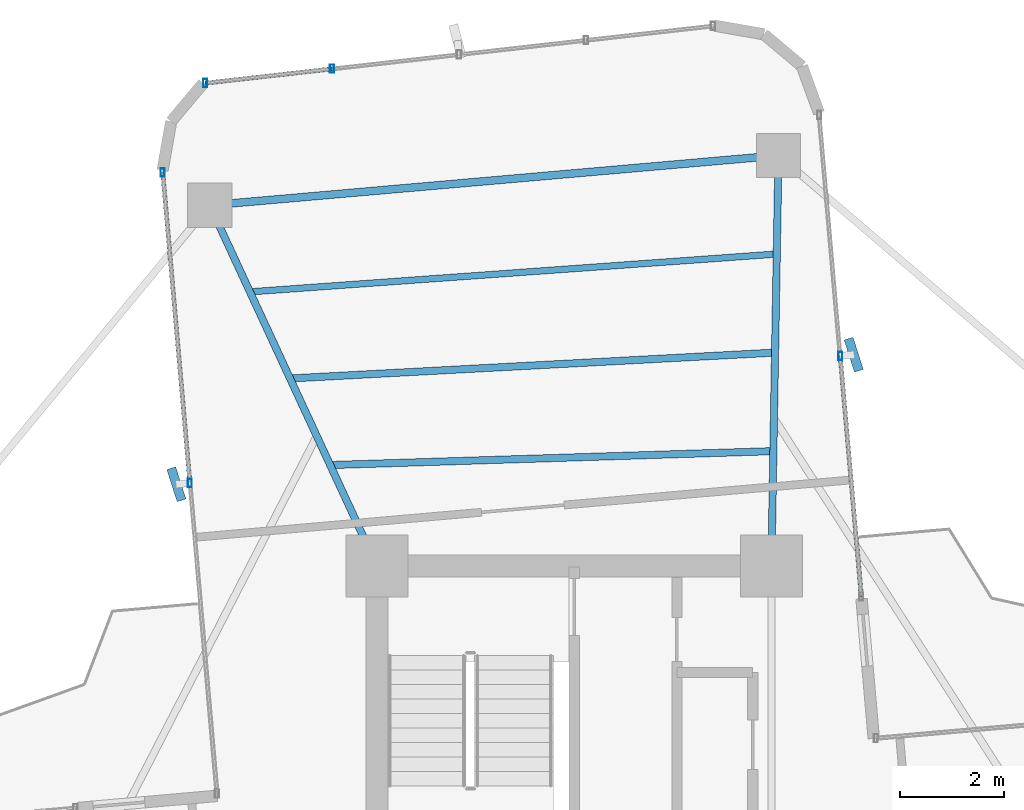
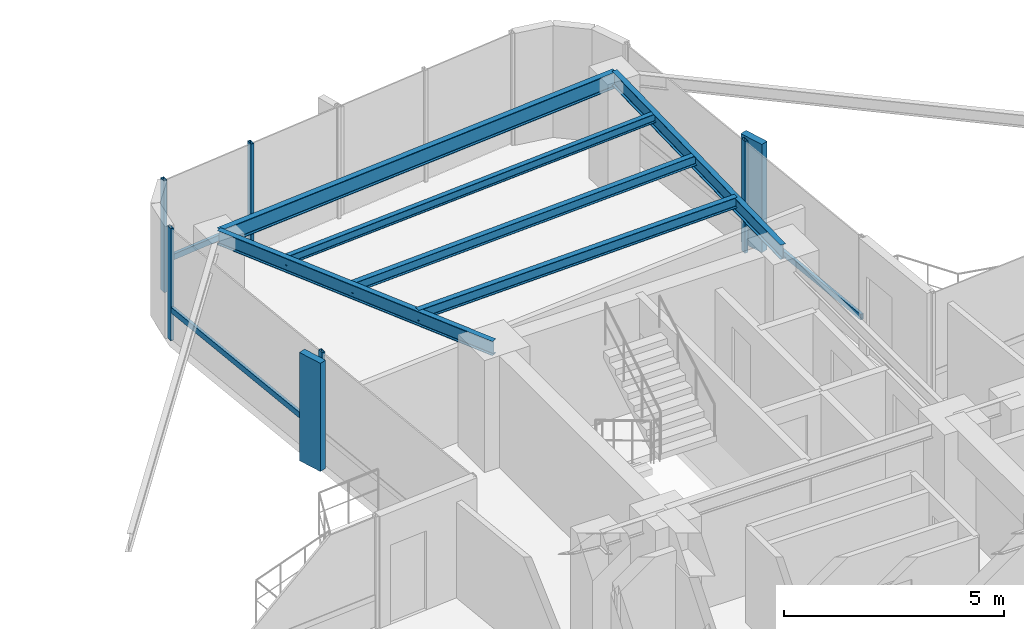
# One storey, part 16 of 24: 10 members, 6 beams, 3 elements without a shape of their own.
"""IFC4 building model written with IfcOpenShell, lengths in metres."""

from ifc_helpers import new_model, si_unit, direction, frame, origin, origin_2d, place, context, subcontext, project, spatial, rectangle, hollow_rectangle, i_section, extrude, source, transform, mapped, material, material_profile, profile_set, type_object, element, aggregate, save


model = new_model("IFC4")

# Units and contexts
model_context = context("Model", 3, precision=1e-05, world=origin(), true_north=direction((0.0, 1.0)))
body_context = subcontext(model_context, "Body", "Model", "MODEL_VIEW")
ifc_project = project(units=[si_unit("LENGTHUNIT", "METRE"), si_unit("AREAUNIT", "SQUARE_METRE"), si_unit("VOLUMEUNIT", "CUBIC_METRE"), si_unit("PLANEANGLEUNIT", "RADIAN"), si_unit("MASSUNIT", "GRAM", prefix="KILO")], contexts=[model_context])

# Site, building, storey
site_placement = place(None, origin())
site = spatial("IfcSite", under=ifc_project, at=site_placement, CompositionType="ELEMENT")
building_placement = place(site_placement, origin())
building = spatial("IfcBuilding", under=site, at=building_placement, Name="Sahyath Konkavel Grand Hotel", CompositionType="ELEMENT")
storey_placement = place(building_placement, frame((0.0, 0.0, 160.64990234375)))
storey = spatial("IfcBuildingStorey", under=building, at=storey_placement, Name="L44", CompositionType="ELEMENT", Elevation=160.64990234375)

# Beams
ifc_material_1 = material(Name="Steel E350", Category="steel")
ifc_material_profile_1 = material_profile(ifc_material_1, i_section(OverallWidth=0.139892578125, OverallDepth=0.39990234375, WebThickness=0.0087890625, FlangeThickness=0.01611328125, FilletRadius=0.013916015625, at=origin_2d()), Name="ISMB 400")
ifc_profile_set_1 = profile_set([ifc_material_profile_1], Name="Steel E350")
beam_type_1 = type_object("IfcBeamType", Name="BM-ISMB400", PredefinedType="BEAM", material=ifc_profile_set_1)
shared_shape_1 = source(origin(), body_context, "Body", "SweptSolid", [
    extrude(i_section(OverallWidth=0.139892578125, OverallDepth=0.39990234375, WebThickness=0.0087890625, FlangeThickness=0.01611328125, FilletRadius=0.013916015625, at=origin_2d()), origin(), (0.0, 0.0, 1.0), 7.913330078125),
])
beam_1_placement = place(storey_placement, frame((3.800048828125, 10.199951171875, 2.91015625), z_axis=(0.017215419232, 0.999851803689, 0.0), x_axis=(-0.999851803689, 0.017215419232, 0.0)))
element("IfcBeam", 1, at=beam_1_placement, inside=storey, type_object=beam_type_1, Name="L44 Cruciform Radial Girder NA", PredefinedType="BEAM", context=body_context, shape_type="MappedRepresentation", body=[
    mapped(shared_shape_1, transform((0.0, 0.0, 0.0), scale=1.0)),
])
shared_shape_2 = source(origin(), body_context, "Body", "SweptSolid", [
    extrude(i_section(OverallWidth=0.139892578125, OverallDepth=0.39990234375, WebThickness=0.0087890625, FlangeThickness=0.01611328125, FilletRadius=0.013916015625, at=origin_2d()), origin(), (0.0, 0.0, 1.0), 7.66357421875),
])
beam_2_placement = place(storey_placement, frame((-3.800048828125, 10.199951171875, 2.91015625), z_axis=(-0.420395127561, 0.907341135804, 0.0), x_axis=(-0.907341135804, -0.420395127561, 0.0)))
element("IfcBeam", 2, at=beam_2_placement, inside=storey, type_object=beam_type_1, Name="L44 Cruciform Radial Girder NB", PredefinedType="BEAM", context=body_context, shape_type="MappedRepresentation", body=[
    mapped(shared_shape_2, transform((0.0, 0.0, 0.0), scale=1.0)),
])
ifc_material_profile_2 = material_profile(ifc_material_1, i_section(OverallWidth=0.14990234375, OverallDepth=0.449951171875, WebThickness=0.009521484375, FlangeThickness=0.017333984375, FilletRadius=0.014892578125, at=origin_2d()), Name="ISMB 450")
ifc_profile_set_2 = profile_set([ifc_material_profile_2], Name="Steel E350")
beam_type_2 = type_object("IfcBeamType", Name="BM-ISMB450", PredefinedType="BEAM", material=ifc_profile_set_2)
shared_shape_3 = source(origin(), body_context, "Body", "SweptSolid", [
    extrude(i_section(OverallWidth=0.14990234375, OverallDepth=0.449951171875, WebThickness=0.009521484375, FlangeThickness=0.017333984375, FilletRadius=0.014892578125, at=origin_2d()), origin(), (0.0, 0.0, 1.0), 10.999755859375),
])
beam_3_placement = place(storey_placement, frame((3.936279296875, 18.112060546875, 2.885009765625), z_axis=(-0.99619439202, -0.087159241098, 0.0), x_axis=(0.087159241098, -0.99619439202, 0.0)))
element("IfcBeam", 3, at=beam_3_placement, inside=storey, type_object=beam_type_2, Name="L44 Wing Tip Edge Beam N", PredefinedType="BEAM", context=body_context, shape_type="MappedRepresentation", body=[
    mapped(shared_shape_3, transform((0.0, 0.0, 0.0), scale=1.0)),
])
ifc_material_profile_3 = material_profile(ifc_material_1, i_section(OverallWidth=0.139892578125, OverallDepth=0.300048828125, WebThickness=0.0078125, FlangeThickness=0.01318359375, FilletRadius=0.013916015625, at=origin_2d()), Name="ISMB 300")
ifc_profile_set_3 = profile_set([ifc_material_profile_3], Name="Steel E350")
beam_type_3 = type_object("IfcBeamType", Name="BM-ISMB300", PredefinedType="BEAM", material=ifc_profile_set_3)
shared_shape_4 = source(origin(), body_context, "Body", "SweptSolid", [
    extrude(i_section(OverallWidth=0.139892578125, OverallDepth=0.300048828125, WebThickness=0.0078125, FlangeThickness=0.01318359375, FilletRadius=0.013916015625, at=origin_2d()), origin(), (0.0, 0.0, 1.0), 8.54443359375),
])
beam_4_placement = place(storey_placement, frame((3.838134765625, 12.415283203125, 2.960205078125), z_axis=(-0.999506849365, -0.031401561632, 0.0), x_axis=(0.031401561632, -0.999506849365, 0.0)))
element("IfcBeam", 4, at=beam_4_placement, inside=storey, type_object=beam_type_3, Name="L44 Secondary Floor Beam N-1", PredefinedType="BEAM", context=body_context, shape_type="MappedRepresentation", body=[
    mapped(shared_shape_4, transform((0.0, 0.0, 0.0), scale=1.0)),
])
ifc_material_profile_4 = material_profile(ifc_material_1, i_section(OverallWidth=0.139892578125, OverallDepth=0.27490234375, WebThickness=0.00634765625, FlangeThickness=0.0087890625, FilletRadius=0.012939453125, at=origin_2d()), Name="ISLB 275")
ifc_profile_set_4 = profile_set([ifc_material_profile_4], Name="Steel E350")
beam_type_4 = type_object("IfcBeamType", Name="BM-ISLB275", PredefinedType="BEAM", material=ifc_profile_set_4)
shared_shape_5 = source(origin(), body_context, "Body", "SweptSolid", [
    extrude(i_section(OverallWidth=0.139892578125, OverallDepth=0.27490234375, WebThickness=0.00634765625, FlangeThickness=0.0087890625, FilletRadius=0.012939453125, at=origin_2d()), origin(), (0.0, 0.0, 1.0), 9.359375),
])
beam_5_placement = place(storey_placement, frame((3.870849609375, 14.314208984375, 2.97265625), z_axis=(-0.998580397723, -0.053265272769, 0.0), x_axis=(0.053265272769, -0.998580397723, 0.0)))
element("IfcBeam", 5, at=beam_5_placement, inside=storey, type_object=beam_type_4, Name="L44 Secondary Floor Beam N-2", PredefinedType="BEAM", context=body_context, shape_type="MappedRepresentation", body=[
    mapped(shared_shape_5, transform((0.0, 0.0, 0.0), scale=1.0)),
])
ifc_material_profile_5 = material_profile(ifc_material_1, i_section(OverallWidth=0.125, OverallDepth=0.25, WebThickness=0.0068359375, FlangeThickness=0.012451171875, FilletRadius=0.012939453125, at=origin_2d()), Name="ISMB 250")
ifc_profile_set_5 = profile_set([ifc_material_profile_5], Name="Steel E350")
beam_type_5 = type_object("IfcBeamType", Name="BM-ISMB250", PredefinedType="BEAM", material=ifc_profile_set_5)
shared_shape_6 = source(origin(), body_context, "Body", "SweptSolid", [
    extrude(i_section(OverallWidth=0.125, OverallDepth=0.25, WebThickness=0.0068359375, FlangeThickness=0.012451171875, FilletRadius=0.012939453125, at=origin_2d()), origin(), (0.0, 0.0, 1.0), 10.178466796875),
])
beam_6_placement = place(storey_placement, frame((3.90380859375, 16.213134765625, 2.985107421875), z_axis=(-0.997435268886, -0.071574327683, 0.0), x_axis=(0.071574327683, -0.997435268886, 0.0)))
element("IfcBeam", 6, at=beam_6_placement, inside=storey, type_object=beam_type_5, Name="L44 Secondary Floor Beam N-3", PredefinedType="BEAM", context=body_context, shape_type="MappedRepresentation", body=[
    mapped(shared_shape_6, transform((0.0, 0.0, 0.0), scale=1.0)),
])

# Curtain wall, member
ifc_material_2 = material(Name="Anodised Bronze Aluminium & Low-E Glazing", Category="aluminium")
curtain_wall_type = type_object("IfcCurtainWallType", Name="CW-ZONE3", PredefinedType="NOTDEFINED", material=ifc_material_2)
curtain_wall_1_placement = place(storey_placement, origin())
curtain_wall_1 = element("IfcCurtainWall", 7, at=curtain_wall_1_placement, inside=storey, type_object=curtain_wall_type, Name="L44 Unitised Curtain Wall F8", PredefinedType="NOTDEFINED")
ifc_material_3 = material(Name="Warm Buff Sandstone Cladding on Concrete C50/60", Category="masonry")
ifc_material_profile_6 = material_profile(ifc_material_3, rectangle(XDim=0.179931640625, YDim=0.64990234375, at=origin_2d()), Name="FIN 180x650")
ifc_profile_set_6 = profile_set([ifc_material_profile_6], Name="Warm Buff Sandstone Cladding on Concrete C50/60")
member_type_1 = type_object("IfcMemberType", Name="FIN-SANDSTONE-650", PredefinedType="MULLION", material=ifc_profile_set_6)
shared_shape_7 = source(origin(), body_context, "Body", "SweptSolid", [
    extrude(rectangle(XDim=0.179931640625, YDim=0.64990234375, at=origin_2d()), origin(), (0.0, 0.0, 1.0), 3.010009765625),
])
member_1_placement = place(storey_placement, frame((5.386474609375, 14.273681640625, 0.050048828125), z_axis=(0.0, 0.0, 1.0), x_axis=(0.952502159334, 0.304531831612, 0.0)))
member_1 = element("IfcMember", 8, at=member_1_placement, type_object=member_type_1, Name="L44 Sandstone Vertical Solar Fin FIN F8-1", PredefinedType="MULLION", context=body_context, shape_type="MappedRepresentation", body=[
    mapped(shared_shape_7, transform((0.0, 0.0, 0.0), scale=1.0)),
])

curtain_wall_2_placement = place(storey_placement, origin())
curtain_wall_2 = element("IfcCurtainWall", 9, at=curtain_wall_2_placement, inside=storey, type_object=curtain_wall_type, Name="L44 Unitised Curtain Wall F15", PredefinedType="NOTDEFINED")
member_2_placement = place(storey_placement, frame((-7.66552734375, 11.776611328125, 0.050048828125), z_axis=(0.0, 0.0, 1.0), x_axis=(0.952502159334, 0.304531831612, 0.0)))
member_2 = element("IfcMember", 10, at=member_2_placement, type_object=member_type_1, Name="L44 Sandstone Vertical Solar Fin FIN F15-1", PredefinedType="MULLION", context=body_context, shape_type="MappedRepresentation", body=[
    mapped(shared_shape_7, transform((0.0, 0.0, 0.0), scale=1.0)),
])

# Member
ifc_material_4 = material(Name="Anodised Bronze Aluminium", Category="aluminium")
ifc_material_profile_7 = material_profile(ifc_material_4, hollow_rectangle(XDim=0.080078125, YDim=0.159912109375, WallThickness=0.006103515625, at=origin_2d()), Name="RHS 160x80x6")
ifc_profile_set_7 = profile_set([ifc_material_profile_7], Name="Anodised Bronze Aluminium")
member_type_2 = type_object("IfcMemberType", Name="CW-MUL-160", PredefinedType="MULLION", material=ifc_profile_set_7)
shared_shape_8 = source(origin(), body_context, "Body", "SweptSolid", [
    extrude(hollow_rectangle(XDim=0.080078125, YDim=0.159912109375, WallThickness=0.006103515625, at=origin_2d()), origin(), (0.0, 0.0, 1.0), 3.110107421875),
])
member_3_placement = place(storey_placement, frame((5.12744140625, 14.251220703125, 0.0), z_axis=(0.0, 0.0, 1.0), x_axis=(1.0, 0.0, 0.0)))
member_3 = element("IfcMember", 11, at=member_3_placement, type_object=member_type_2, Name="L44 Curtain Wall Mullion F8-1", PredefinedType="MULLION", context=body_context, shape_type="MappedRepresentation", body=[
    mapped(shared_shape_8, transform((0.0, 0.0, 0.0), scale=1.0)),
])

# Curtain wall, members
curtain_wall_3_placement = place(storey_placement, origin())
curtain_wall_3 = element("IfcCurtainWall", 12, at=curtain_wall_3_placement, inside=storey, type_object=curtain_wall_type, Name="L44 Unitised Curtain Wall F12", PredefinedType="NOTDEFINED")
member_4_placement = place(storey_placement, frame((-4.665771484375, 19.783203125, 0.0), z_axis=(0.0, 0.0, 1.0), x_axis=(1.0, 0.0, 0.0)))
member_4 = element("IfcMember", 13, at=member_4_placement, type_object=member_type_2, Name="L44 Curtain Wall Mullion F12-3", PredefinedType="MULLION", context=body_context, shape_type="MappedRepresentation", body=[
    mapped(shared_shape_8, transform((0.0, 0.0, 0.0), scale=1.0)),
])
member_5_placement = place(storey_placement, frame((-7.1123046875, 19.507568359375, 0.0), z_axis=(0.0, 0.0, 1.0), x_axis=(1.0, 0.0, 0.0)))
member_5 = element("IfcMember", 14, at=member_5_placement, type_object=member_type_2, Name="L44 Curtain Wall Mullion F12-4", PredefinedType="MULLION", context=body_context, shape_type="MappedRepresentation", body=[
    mapped(shared_shape_8, transform((0.0, 0.0, 0.0), scale=1.0)),
])

# Member
member_6_placement = place(storey_placement, frame((-7.930419921875, 17.78662109375, 0.0), z_axis=(0.0, 0.0, 1.0), x_axis=(1.0, 0.0, 0.0)))
member_6 = element("IfcMember", 15, at=member_6_placement, type_object=member_type_2, Name="L44 Curtain Wall Mullion F15-0", PredefinedType="MULLION", context=body_context, shape_type="MappedRepresentation", body=[
    mapped(shared_shape_8, transform((0.0, 0.0, 0.0), scale=1.0)),
])

member_7_placement = place(storey_placement, frame((-7.406494140625, 11.79931640625, 0.0), z_axis=(0.0, 0.0, 1.0), x_axis=(1.0, 0.0, 0.0)))
member_7 = element("IfcMember", 16, at=member_7_placement, type_object=member_type_2, Name="L44 Curtain Wall Mullion F15-1", PredefinedType="MULLION", context=body_context, shape_type="MappedRepresentation", body=[
    mapped(shared_shape_8, transform((0.0, 0.0, 0.0), scale=1.0)),
])

ifc_material_profile_8 = material_profile(ifc_material_4, hollow_rectangle(XDim=0.080078125, YDim=0.159912109375, WallThickness=0.006103515625, at=origin_2d()), Name="RHS 160x80x6")
ifc_profile_set_8 = profile_set([ifc_material_profile_8], Name="Anodised Bronze Aluminium")
member_type_3 = type_object("IfcMemberType", Name="CW-TRN-160", PredefinedType="USERDEFINED", material=ifc_profile_set_8)
shared_shape_9 = source(origin(), body_context, "Body", "SweptSolid", [
    extrude(hollow_rectangle(XDim=0.080078125, YDim=0.159912109375, WallThickness=0.006103515625, at=origin_2d()), origin(), (0.0, 0.0, 1.0), 4.66015625),
])
member_8_placement = place(storey_placement, frame((5.53369140625, 9.60888671875, 0.85009765625), z_axis=(-0.087176698736, 0.996192864458, 0.0), x_axis=(-0.996192864458, -0.087176698736, 0.0)))
member_8 = element("IfcMember", 17, at=member_8_placement, type_object=member_type_3, Name="L44 Curtain Wall Transom F8-0-spandrel", ObjectType="TRANSOM", PredefinedType="USERDEFINED", context=body_context, shape_type="MappedRepresentation", body=[
    mapped(shared_shape_9, transform((0.0, 0.0, 0.0), scale=1.0)),
])

aggregate(curtain_wall_1, [member_3, member_1, member_8])

shared_shape_10 = source(origin(), body_context, "Body", "SweptSolid", [
    extrude(hollow_rectangle(XDim=0.080078125, YDim=0.159912109375, WallThickness=0.006103515625, at=origin_2d()), origin(), (0.0, 0.0, 1.0), 2.4619140625),
])
member_9_placement = place(storey_placement, frame((-4.665771484375, 19.783203125, 0.85009765625), z_axis=(-0.993713263833, -0.111955121731, 0.0), x_axis=(0.111955121731, -0.993713263833, 0.0)))
member_9 = element("IfcMember", 18, at=member_9_placement, type_object=member_type_3, Name="L44 Curtain Wall Transom F12-3-spandrel", ObjectType="TRANSOM", PredefinedType="USERDEFINED", context=body_context, shape_type="MappedRepresentation", body=[
    mapped(shared_shape_10, transform((0.0, 0.0, 0.0), scale=1.0)),
])

aggregate(curtain_wall_3, [member_4, member_5, member_9])

shared_shape_11 = source(origin(), body_context, "Body", "SweptSolid", [
    extrude(hollow_rectangle(XDim=0.080078125, YDim=0.159912109375, WallThickness=0.006103515625, at=origin_2d()), origin(), (0.0, 0.0, 1.0), 6.01025390625),
])
member_10_placement = place(storey_placement, frame((-7.930419921875, 17.78662109375, 0.85009765625), z_axis=(0.087172997156, -0.996193188376, 0.0), x_axis=(0.996193188376, 0.087172997156, 0.0)))
member_10 = element("IfcMember", 19, at=member_10_placement, type_object=member_type_3, Name="L44 Curtain Wall Transom F15-0-spandrel", ObjectType="TRANSOM", PredefinedType="USERDEFINED", context=body_context, shape_type="MappedRepresentation", body=[
    mapped(shared_shape_11, transform((0.0, 0.0, 0.0), scale=1.0)),
])

aggregate(curtain_wall_2, [member_6, member_7, member_2, member_10])

save(model, "model.ifc")
